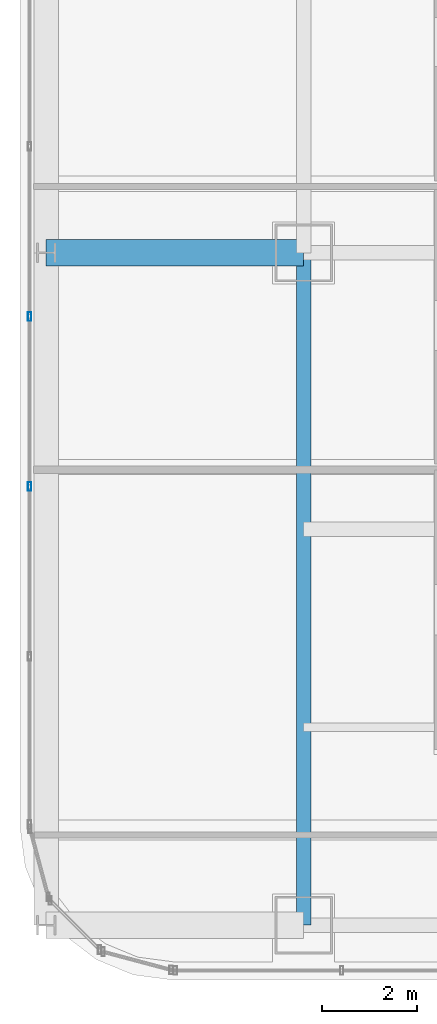
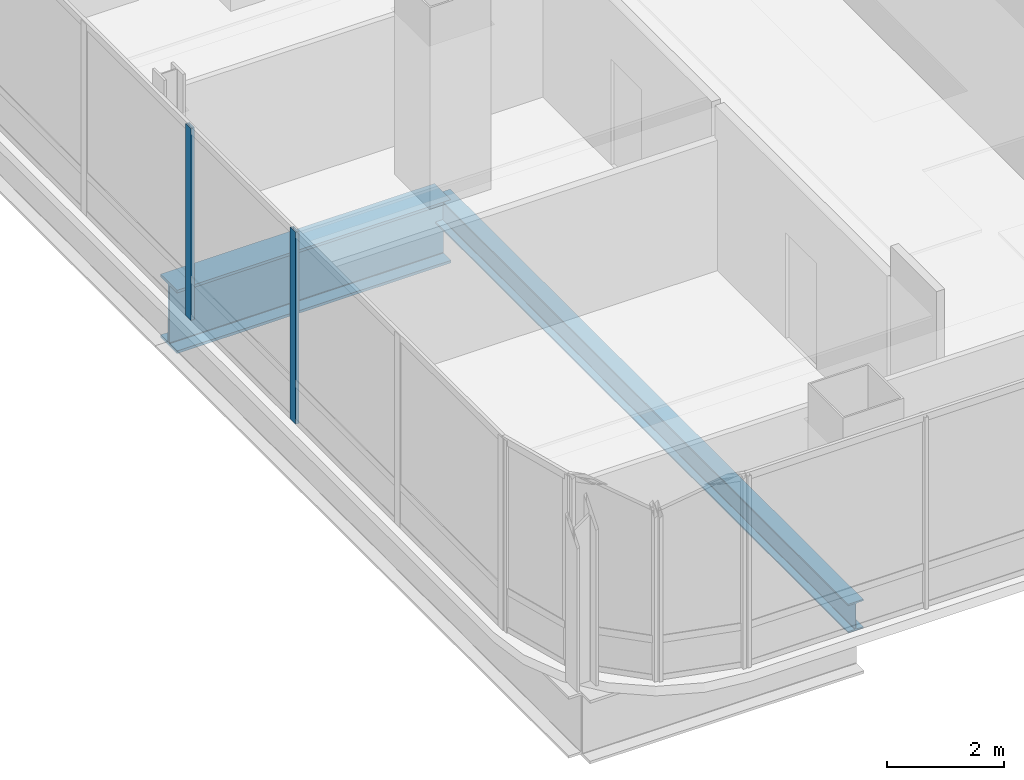
# One storey, part 5 of 42: 2 beams, 2 members, 1 element without a shape of its own.
"""IFC4 building model written with IfcOpenShell, lengths in metres."""

from ifc_helpers import new_model, si_unit, direction, frame, origin, origin_2d, place, context, subcontext, project, spatial, hollow_rectangle, i_section, extrude, material, material_profile, profile_set, type_object, element, aggregate, save


model = new_model("IFC4")

# Units and contexts
model_context = context("Model", 3, precision=1e-05, world=origin(), true_north=direction((0.0, 1.0)))
body_context = subcontext(model_context, "Body", "Model", "MODEL_VIEW")
ifc_project = project(units=[si_unit("LENGTHUNIT", "METRE"), si_unit("AREAUNIT", "SQUARE_METRE"), si_unit("VOLUMEUNIT", "CUBIC_METRE"), si_unit("PLANEANGLEUNIT", "RADIAN"), si_unit("MASSUNIT", "GRAM", prefix="KILO")], contexts=[model_context])

# Site, building, storey
site_placement = place(None, origin())
site = spatial("IfcSite", under=ifc_project, at=site_placement, CompositionType="ELEMENT")
building_placement = place(site_placement, origin())
building = spatial("IfcBuilding", under=site, at=building_placement, Name="Punatoya Terracotta Tower", CompositionType="ELEMENT")
storey_placement = place(building_placement, frame((0.0, 0.0, 296.39990234375)))
storey = spatial("IfcBuildingStorey", under=building, at=storey_placement, Name="L70", CompositionType="ELEMENT", Elevation=296.39990234375)

# Beams
ifc_material_1 = material(Name="Steel S355", Category="steel")
ifc_material_profile_1 = material_profile(ifc_material_1, i_section(OverallWidth=0.300048828125, OverallDepth=0.60009765625, WebThickness=0.015380859375, FlangeThickness=0.030029296875, FilletRadius=0.01806640625, at=origin_2d()))
ifc_profile_set_1 = profile_set([ifc_material_profile_1], Name="Steel S355")
beam_type_1 = type_object("IfcBeamType", Name="BM-PRI-600", PredefinedType="BEAM", material=ifc_profile_set_1)
beam_1_placement = place(storey_placement, frame((-19.10009765625, -17.5, -0.5), z_axis=(0.0, 1.0, 0.0), x_axis=(-1.0, 0.0, 0.0)))
element("IfcBeam", 1, at=beam_1_placement, inside=storey, type_object=beam_type_1, Name="BM-L70-RG-W1", PredefinedType="BEAM", context=body_context, shape_type="SweptSolid", body=[
    extrude(i_section(OverallWidth=0.300048828125, OverallDepth=0.60009765625, WebThickness=0.015380859375, FlangeThickness=0.030029296875, FilletRadius=0.01806640625, at=origin_2d()), origin(), (0.0, 0.0, 1.0), 14.10009765625),
])
ifc_material_2 = material(Name="Steel S460", Category="steel")
ifc_material_profile_2 = material_profile(ifc_material_2, i_section(OverallWidth=0.56005859375, OverallDepth=1.320068359375, WebThickness=0.035888671875, FlangeThickness=0.054931640625, FilletRadius=0.01806640625, at=origin_2d()))
ifc_profile_set_2 = profile_set([ifc_material_profile_2], Name="Steel S460")
beam_type_2 = type_object("IfcBeamType", Name="BM-TG-BLK", PredefinedType="BEAM", material=ifc_profile_set_2)
beam_2_placement = place(storey_placement, frame((-24.5, -3.39990234375, -0.85986328125), z_axis=(1.0, 0.0, 0.0), x_axis=(0.0, 1.0, 0.0)))
element("IfcBeam", 2, at=beam_2_placement, inside=storey, type_object=beam_type_2, Name="BM-L70-CANT-W2", PredefinedType="BEAM", context=body_context, shape_type="SweptSolid", body=[
    extrude(i_section(OverallWidth=0.56005859375, OverallDepth=1.320068359375, WebThickness=0.035888671875, FlangeThickness=0.054931640625, FilletRadius=0.01806640625, at=origin_2d()), origin(), (0.0, 0.0, 1.0), 5.39990234375),
])

# Curtain wall, members
ifc_material_3 = material(Name="Aluminium 6063-T6 + Double Low-E Glass", Category="aluminium")
curtain_wall_type = type_object("IfcCurtainWallType", Name="CW-M3", PredefinedType="NOTDEFINED", material=ifc_material_3)
curtain_wall_placement = place(storey_placement, origin())
curtain_wall = element("IfcCurtainWall", 3, at=curtain_wall_placement, inside=storey, type_object=curtain_wall_type, Name="L70 Curtain Wall CW-L70-W13-1", PredefinedType="NOTDEFINED")
ifc_material_4 = material(Name="Aluminium 6063-T6", Category="aluminium")
ifc_material_profile_3 = material_profile(ifc_material_4, hollow_rectangle(XDim=0.070068359375, YDim=0.179931640625, WallThickness=0.00390625, at=origin_2d()))
ifc_profile_set_3 = profile_set([ifc_material_profile_3], Name="Aluminium 6063-T6")
member_type = type_object("IfcMemberType", Name="CW-MUL-M3", PredefinedType="MULLION", material=ifc_profile_set_3)
member_1_placement = place(storey_placement, frame((-24.85009765625, -4.73486328125, 0.0), z_axis=(0.0, 0.0, 1.0), x_axis=(1.0, 0.0, 0.0)))
member_1 = element("IfcMember", 4, at=member_1_placement, type_object=member_type, Name="CW-L70-W13-1 Mullion 07", PredefinedType="MULLION", context=body_context, shape_type="SweptSolid", body=[
    extrude(hollow_rectangle(XDim=0.070068359375, YDim=0.179931640625, WallThickness=0.00390625, at=origin_2d()), origin(), (0.0, 0.0, 1.0), 4.0),
])
member_2_placement = place(storey_placement, frame((-24.85009765625, -8.302001953125, 0.0), z_axis=(0.0, 0.0, 1.0), x_axis=(1.0, 0.0, 0.0)))
member_2 = element("IfcMember", 5, at=member_2_placement, type_object=member_type, Name="CW-L70-W13-1 Mullion 08", PredefinedType="MULLION", context=body_context, shape_type="SweptSolid", body=[
    extrude(hollow_rectangle(XDim=0.070068359375, YDim=0.179931640625, WallThickness=0.00390625, at=origin_2d()), origin(), (0.0, 0.0, 1.0), 4.0),
])
aggregate(curtain_wall, [member_1, member_2])

save(model, "model.ifc")
